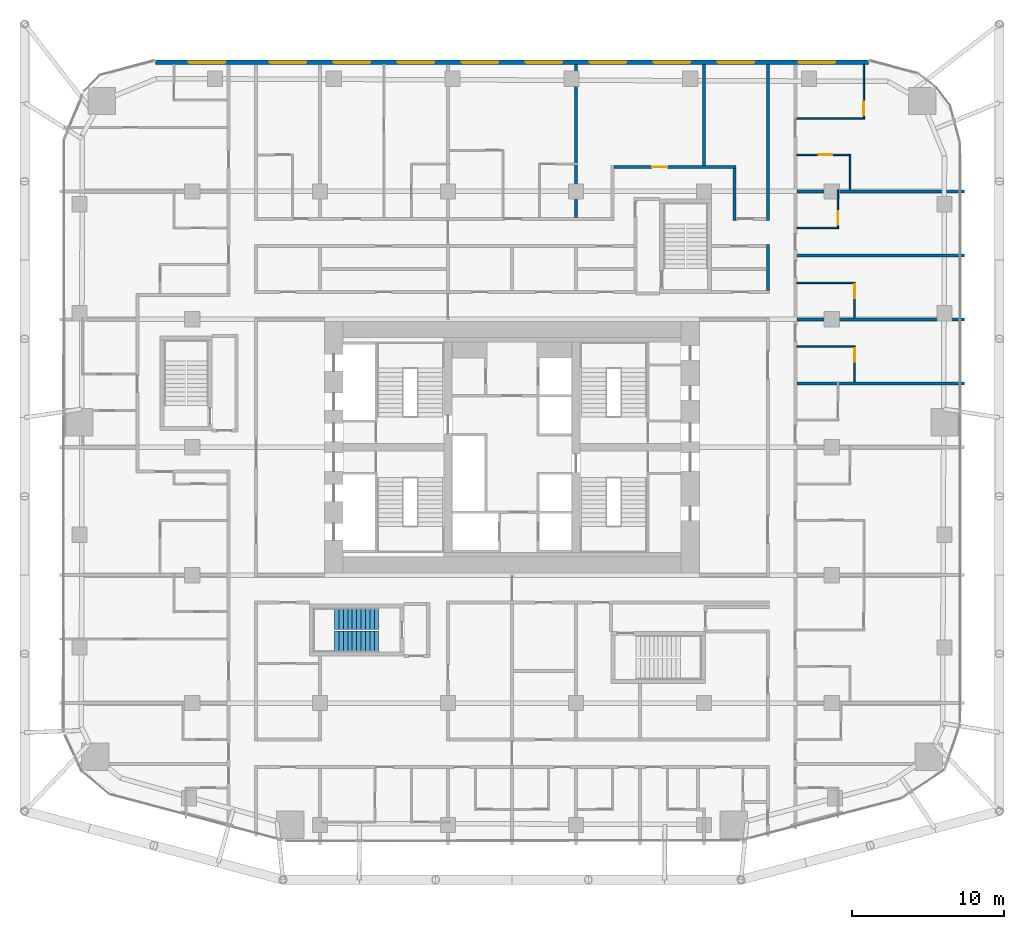
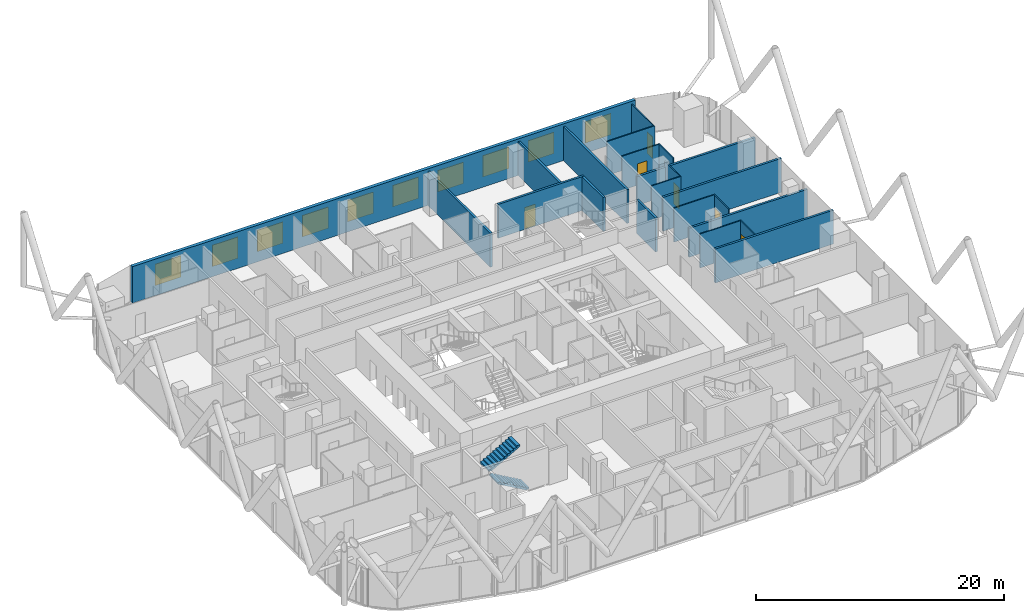
# One storey, part 35 of 38: 21 walls, 10 windows, 6 doors, 2 stair flights, 16 openings, 1 element without a shape of its own.
"""IFC4 building model written with IfcOpenShell, lengths in metres."""

from ifc_helpers import new_model, si_unit, direction, frame, frame_2d, origin, place, context, subcontext, project, spatial, polyline, rectangle, outline, extrude, material, layer, layer_set, type_object, element, fill, aggregate, save


model = new_model("IFC4")

# Units and contexts
model_context = context("Model", 3, precision=1e-05, world=origin(), true_north=direction((0.0, 1.0)))
body_context = subcontext(model_context, "Body", "Model", "MODEL_VIEW")
ifc_project = project(units=[si_unit("LENGTHUNIT", "METRE"), si_unit("AREAUNIT", "SQUARE_METRE"), si_unit("VOLUMEUNIT", "CUBIC_METRE"), si_unit("PLANEANGLEUNIT", "RADIAN"), si_unit("MASSUNIT", "GRAM", prefix="KILO")], contexts=[model_context])

# Site, building, storey
site_placement = place(None, origin())
site = spatial("IfcSite", under=ifc_project, at=site_placement, CompositionType="ELEMENT")
building_placement = place(site_placement, origin())
building = spatial("IfcBuilding", under=site, at=building_placement, Name="Marenta Gate Hotel Tower", CompositionType="ELEMENT")
storey_placement = place(building_placement, frame((0.0, 0.0, 68.89990234375)))
storey = spatial("IfcBuildingStorey", under=building, at=storey_placement, Name="L15", CompositionType="ELEMENT", Elevation=68.89990234375)

# Wall, openings, windows
ifc_material_1 = material(Name="Concrete C40 board-marked", Category="concrete")
ifc_layer_1 = layer(ifc_material_1, 0.300048828125)
ifc_layer_set_1 = layer_set([ifc_layer_1], Name="Concrete C40 board-marked")
wall_type_1 = type_object("IfcWallType", Name="Board-marked concrete wall 300 mm", PredefinedType="NOTDEFINED", material=ifc_layer_set_1)
wall_1_placement = place(storey_placement, frame((23.406005859375, 33.68994140625, 0.0), z_axis=(0.0, 0.0, 1.0), x_axis=(-1.0, 0.0, 0.0)))
wall_1 = element("IfcWall", 1, at=wall_1_placement, inside=storey, type_object=wall_type_1, Name="L15-CLD-N00", PredefinedType="NOTDEFINED", context=body_context, shape_type="SweptSolid", body=[
    extrude(rectangle(XDim=46.81201171875, YDim=0.300048828125, at=frame_2d((23.406005859375, 0.0))), origin(), (0.0, 0.0, 1.0), 3.60009765625),
])
opening_1_placement = place(wall_1_placement, frame((2.185791015625, 0.0, 0.89990234375)))
opening_1 = element("IfcOpeningElement", 2, at=opening_1_placement, cuts=wall_1, Name="Opening W1", PredefinedType="OPENING", context=body_context, shape_type="SweptSolid", body=[
    extrude(rectangle(XDim=2.39990234375, YDim=2.10009765625, at=frame_2d((1.199951171875, 1.050048828125))), frame((0.0, 0.14990234375, 0.0), z_axis=(0.0, -1.0, 0.0), x_axis=(1.0, 0.0, 0.0)), (0.0, 0.0, 1.0), 0.300048828125),
])
opening_2_placement = place(wall_1_placement, frame((7.505859375, 0.0, 0.89990234375)))
opening_2 = element("IfcOpeningElement", 3, at=opening_2_placement, cuts=wall_1, Name="Opening W1", PredefinedType="OPENING", context=body_context, shape_type="SweptSolid", body=[
    extrude(rectangle(XDim=2.39990234375, YDim=2.10009765625, at=frame_2d((1.199951171875, 1.050048828125))), frame((0.0, 0.14990234375, 0.0), z_axis=(0.0, -1.0, 0.0), x_axis=(1.0, 0.0, 0.0)), (0.0, 0.0, 1.0), 0.300048828125),
])
opening_3_placement = place(wall_1_placement, frame((11.705810546875, 0.0, 0.89990234375)))
opening_3 = element("IfcOpeningElement", 4, at=opening_3_placement, cuts=wall_1, Name="Opening W1", PredefinedType="OPENING", context=body_context, shape_type="SweptSolid", body=[
    extrude(rectangle(XDim=2.39990234375, YDim=2.10009765625, at=frame_2d((1.199951171875, 1.050048828125))), frame((0.0, 0.14990234375, 0.0), z_axis=(0.0, -1.0, 0.0), x_axis=(1.0, 0.0, 0.0)), (0.0, 0.0, 1.0), 0.300048828125),
])
opening_4_placement = place(wall_1_placement, frame((15.906005859375, 0.0, 0.89990234375)))
opening_4 = element("IfcOpeningElement", 5, at=opening_4_placement, cuts=wall_1, Name="Opening W1", PredefinedType="OPENING", context=body_context, shape_type="SweptSolid", body=[
    extrude(rectangle(XDim=2.39990234375, YDim=2.10009765625, at=frame_2d((1.199951171875, 1.050048828125))), frame((0.0, 0.14990234375, 0.0), z_axis=(0.0, -1.0, 0.0), x_axis=(1.0, 0.0, 0.0)), (0.0, 0.0, 1.0), 0.300048828125),
])
opening_5_placement = place(wall_1_placement, frame((20.10595703125, 0.0, 0.89990234375)))
opening_5 = element("IfcOpeningElement", 6, at=opening_5_placement, cuts=wall_1, Name="Opening W1", PredefinedType="OPENING", context=body_context, shape_type="SweptSolid", body=[
    extrude(rectangle(XDim=2.39990234375, YDim=2.10009765625, at=frame_2d((1.199951171875, 1.050048828125))), frame((0.0, 0.14990234375, 0.0), z_axis=(0.0, -1.0, 0.0), x_axis=(1.0, 0.0, 0.0)), (0.0, 0.0, 1.0), 0.300048828125),
])
opening_6_placement = place(wall_1_placement, frame((24.305908203125, 0.0, 0.89990234375)))
opening_6 = element("IfcOpeningElement", 7, at=opening_6_placement, cuts=wall_1, Name="Opening W1", PredefinedType="OPENING", context=body_context, shape_type="SweptSolid", body=[
    extrude(rectangle(XDim=2.39990234375, YDim=2.10009765625, at=frame_2d((1.199951171875, 1.050048828125))), frame((0.0, 0.14990234375, 0.0), z_axis=(0.0, -1.0, 0.0), x_axis=(1.0, 0.0, 0.0)), (0.0, 0.0, 1.0), 0.300048828125),
])
opening_7_placement = place(wall_1_placement, frame((28.505859375, 0.0, 0.89990234375)))
opening_7 = element("IfcOpeningElement", 8, at=opening_7_placement, cuts=wall_1, Name="Opening W1", PredefinedType="OPENING", context=body_context, shape_type="SweptSolid", body=[
    extrude(rectangle(XDim=2.39990234375, YDim=2.10009765625, at=frame_2d((1.199951171875, 1.050048828125))), frame((0.0, 0.14990234375, 0.0), z_axis=(0.0, -1.0, 0.0), x_axis=(1.0, 0.0, 0.0)), (0.0, 0.0, 1.0), 0.300048828125),
])
opening_8_placement = place(wall_1_placement, frame((32.705810546875, 0.0, 0.89990234375)))
opening_8 = element("IfcOpeningElement", 9, at=opening_8_placement, cuts=wall_1, Name="Opening W1", PredefinedType="OPENING", context=body_context, shape_type="SweptSolid", body=[
    extrude(rectangle(XDim=2.39990234375, YDim=2.10009765625, at=frame_2d((1.199951171875, 1.050048828125))), frame((0.0, 0.14990234375, 0.0), z_axis=(0.0, -1.0, 0.0), x_axis=(1.0, 0.0, 0.0)), (0.0, 0.0, 1.0), 0.300048828125),
])
opening_9_placement = place(wall_1_placement, frame((36.906005859375, 0.0, 0.89990234375)))
opening_9 = element("IfcOpeningElement", 10, at=opening_9_placement, cuts=wall_1, Name="Opening W1", PredefinedType="OPENING", context=body_context, shape_type="SweptSolid", body=[
    extrude(rectangle(XDim=2.39990234375, YDim=2.10009765625, at=frame_2d((1.199951171875, 1.050048828125))), frame((0.0, 0.14990234375, 0.0), z_axis=(0.0, -1.0, 0.0), x_axis=(1.0, 0.0, 0.0)), (0.0, 0.0, 1.0), 0.300048828125),
])
opening_10_placement = place(wall_1_placement, frame((42.225830078125, 0.0, 0.89990234375)))
opening_10 = element("IfcOpeningElement", 11, at=opening_10_placement, cuts=wall_1, Name="Opening W1", PredefinedType="OPENING", context=body_context, shape_type="SweptSolid", body=[
    extrude(rectangle(XDim=2.39990234375, YDim=2.10009765625, at=frame_2d((1.199951171875, 1.050048828125))), frame((0.0, 0.14990234375, 0.0), z_axis=(0.0, -1.0, 0.0), x_axis=(1.0, 0.0, 0.0)), (0.0, 0.0, 1.0), 0.300048828125),
])
ifc_material_2 = material(Name="Tinted insulated glass in bronze anodised frame", Category="glass")
window_type = type_object("IfcWindowType", Name="Window W1 2400x2100 bronze frame", PartitioningType="SINGLE_PANEL", PredefinedType="WINDOW", material=ifc_material_2)
window_1_placement = place(opening_1_placement, origin())
window_1 = element("IfcWindow", 12, at=window_1_placement, inside=storey, type_object=window_type, Name="Window W1", OverallHeight=2.10009765625, OverallWidth=2.39990234375, PartitioningType="SINGLE_PANEL", PredefinedType="WINDOW", context=body_context, shape_type="SweptSolid", body=[
    extrude(rectangle(XDim=2.39990234375, YDim=2.10009765625, at=frame_2d((1.199951171875, 1.050048828125))), frame((0.0, 0.030029296875, 0.0), z_axis=(0.0, -1.0, 0.0), x_axis=(1.0, 0.0, 0.0)), (0.0, 0.0, 1.0), 0.06005859375),
])
fill(opening_1, window_1)
window_2_placement = place(opening_2_placement, origin())
window_2 = element("IfcWindow", 13, at=window_2_placement, inside=storey, type_object=window_type, Name="Window W1", OverallHeight=2.10009765625, OverallWidth=2.39990234375, PartitioningType="SINGLE_PANEL", PredefinedType="WINDOW", context=body_context, shape_type="SweptSolid", body=[
    extrude(rectangle(XDim=2.39990234375, YDim=2.10009765625, at=frame_2d((1.199951171875, 1.050048828125))), frame((0.0, 0.030029296875, 0.0), z_axis=(0.0, -1.0, 0.0), x_axis=(1.0, 0.0, 0.0)), (0.0, 0.0, 1.0), 0.06005859375),
])
fill(opening_2, window_2)
window_3_placement = place(opening_3_placement, origin())
window_3 = element("IfcWindow", 14, at=window_3_placement, inside=storey, type_object=window_type, Name="Window W1", OverallHeight=2.10009765625, OverallWidth=2.39990234375, PartitioningType="SINGLE_PANEL", PredefinedType="WINDOW", context=body_context, shape_type="SweptSolid", body=[
    extrude(rectangle(XDim=2.39990234375, YDim=2.10009765625, at=frame_2d((1.199951171875, 1.050048828125))), frame((0.0, 0.030029296875, 0.0), z_axis=(0.0, -1.0, 0.0), x_axis=(1.0, 0.0, 0.0)), (0.0, 0.0, 1.0), 0.06005859375),
])
fill(opening_3, window_3)
window_4_placement = place(opening_4_placement, origin())
window_4 = element("IfcWindow", 15, at=window_4_placement, inside=storey, type_object=window_type, Name="Window W1", OverallHeight=2.10009765625, OverallWidth=2.39990234375, PartitioningType="SINGLE_PANEL", PredefinedType="WINDOW", context=body_context, shape_type="SweptSolid", body=[
    extrude(rectangle(XDim=2.39990234375, YDim=2.10009765625, at=frame_2d((1.199951171875, 1.050048828125))), frame((0.0, 0.030029296875, 0.0), z_axis=(0.0, -1.0, 0.0), x_axis=(1.0, 0.0, 0.0)), (0.0, 0.0, 1.0), 0.06005859375),
])
fill(opening_4, window_4)
window_5_placement = place(opening_5_placement, origin())
window_5 = element("IfcWindow", 16, at=window_5_placement, inside=storey, type_object=window_type, Name="Window W1", OverallHeight=2.10009765625, OverallWidth=2.39990234375, PartitioningType="SINGLE_PANEL", PredefinedType="WINDOW", context=body_context, shape_type="SweptSolid", body=[
    extrude(rectangle(XDim=2.39990234375, YDim=2.10009765625, at=frame_2d((1.199951171875, 1.050048828125))), frame((0.0, 0.030029296875, 0.0), z_axis=(0.0, -1.0, 0.0), x_axis=(1.0, 0.0, 0.0)), (0.0, 0.0, 1.0), 0.06005859375),
])
fill(opening_5, window_5)
window_6_placement = place(opening_6_placement, origin())
window_6 = element("IfcWindow", 17, at=window_6_placement, inside=storey, type_object=window_type, Name="Window W1", OverallHeight=2.10009765625, OverallWidth=2.39990234375, PartitioningType="SINGLE_PANEL", PredefinedType="WINDOW", context=body_context, shape_type="SweptSolid", body=[
    extrude(rectangle(XDim=2.39990234375, YDim=2.10009765625, at=frame_2d((1.199951171875, 1.050048828125))), frame((0.0, 0.030029296875, 0.0), z_axis=(0.0, -1.0, 0.0), x_axis=(1.0, 0.0, 0.0)), (0.0, 0.0, 1.0), 0.06005859375),
])
fill(opening_6, window_6)
window_7_placement = place(opening_7_placement, origin())
window_7 = element("IfcWindow", 18, at=window_7_placement, inside=storey, type_object=window_type, Name="Window W1", OverallHeight=2.10009765625, OverallWidth=2.39990234375, PartitioningType="SINGLE_PANEL", PredefinedType="WINDOW", context=body_context, shape_type="SweptSolid", body=[
    extrude(rectangle(XDim=2.39990234375, YDim=2.10009765625, at=frame_2d((1.199951171875, 1.050048828125))), frame((0.0, 0.030029296875, 0.0), z_axis=(0.0, -1.0, 0.0), x_axis=(1.0, 0.0, 0.0)), (0.0, 0.0, 1.0), 0.06005859375),
])
fill(opening_7, window_7)
window_8_placement = place(opening_8_placement, origin())
window_8 = element("IfcWindow", 19, at=window_8_placement, inside=storey, type_object=window_type, Name="Window W1", OverallHeight=2.10009765625, OverallWidth=2.39990234375, PartitioningType="SINGLE_PANEL", PredefinedType="WINDOW", context=body_context, shape_type="SweptSolid", body=[
    extrude(rectangle(XDim=2.39990234375, YDim=2.10009765625, at=frame_2d((1.199951171875, 1.050048828125))), frame((0.0, 0.030029296875, 0.0), z_axis=(0.0, -1.0, 0.0), x_axis=(1.0, 0.0, 0.0)), (0.0, 0.0, 1.0), 0.06005859375),
])
fill(opening_8, window_8)
window_9_placement = place(opening_9_placement, origin())
window_9 = element("IfcWindow", 20, at=window_9_placement, inside=storey, type_object=window_type, Name="Window W1", OverallHeight=2.10009765625, OverallWidth=2.39990234375, PartitioningType="SINGLE_PANEL", PredefinedType="WINDOW", context=body_context, shape_type="SweptSolid", body=[
    extrude(rectangle(XDim=2.39990234375, YDim=2.10009765625, at=frame_2d((1.199951171875, 1.050048828125))), frame((0.0, 0.030029296875, 0.0), z_axis=(0.0, -1.0, 0.0), x_axis=(1.0, 0.0, 0.0)), (0.0, 0.0, 1.0), 0.06005859375),
])
fill(opening_9, window_9)
window_10_placement = place(opening_10_placement, origin())
window_10 = element("IfcWindow", 21, at=window_10_placement, inside=storey, type_object=window_type, Name="Window W1", OverallHeight=2.10009765625, OverallWidth=2.39990234375, PartitioningType="SINGLE_PANEL", PredefinedType="WINDOW", context=body_context, shape_type="SweptSolid", body=[
    extrude(rectangle(XDim=2.39990234375, YDim=2.10009765625, at=frame_2d((1.199951171875, 1.050048828125))), frame((0.0, 0.030029296875, 0.0), z_axis=(0.0, -1.0, 0.0), x_axis=(1.0, 0.0, 0.0)), (0.0, 0.0, 1.0), 0.06005859375),
])
fill(opening_10, window_10)

# Walls
ifc_material_3 = material(Name="Gypsum board on steel stud", Category="steel")
ifc_layer_2 = layer(ifc_material_3, 0.199951171875)
ifc_layer_set_2 = layer_set([ifc_layer_2], Name="Gypsum board on steel stud")
wall_type_2 = type_object("IfcWallType", Name="Room corridor wall 200 EI 60", PredefinedType="PARTITIONING", material=ifc_layer_set_2)
wall_2_placement = place(storey_placement, frame((16.800048828125, 18.699951171875, 0.0), z_axis=(0.0, 0.0, 1.0), x_axis=(0.0, 1.0, 0.0)))
element("IfcWall", 22, at=wall_2_placement, inside=storey, type_object=wall_type_2, Name="L15-PTN-W017", PredefinedType="PARTITIONING", context=body_context, shape_type="SweptSolid", body=[
    extrude(rectangle(XDim=3.0, YDim=0.199951171875, at=frame_2d((1.5, 0.0))), origin(), (0.0, 0.0, 1.0), 3.340087890625),
])
wall_3_placement = place(storey_placement, frame((16.800048828125, 23.300048828125, 0.0), z_axis=(0.0, 0.0, 1.0), x_axis=(0.0, 1.0, 0.0)))
element("IfcWall", 23, at=wall_3_placement, inside=storey, type_object=wall_type_2, Name="L15-PTN-W018", PredefinedType="PARTITIONING", context=body_context, shape_type="SweptSolid", body=[
    extrude(rectangle(XDim=10.239990234375, YDim=0.199951171875, at=frame_2d((5.1201171875, 0.0))), origin(), (0.0, 0.0, 1.0), 3.340087890625),
])
wall_4_placement = place(storey_placement, frame((14.60009765625, 23.300048828125, 0.0), z_axis=(0.0, 0.0, 1.0), x_axis=(0.0, 1.0, 0.0)))
element("IfcWall", 24, at=wall_4_placement, inside=storey, type_object=wall_type_2, Name="L15-PTN-W028", PredefinedType="PARTITIONING", context=body_context, shape_type="SweptSolid", body=[
    extrude(rectangle(XDim=3.39990234375, YDim=0.199951171875, at=frame_2d((1.699951171875, 0.0))), origin(), (0.0, 0.0, 1.0), 3.340087890625),
])

# Wall, opening, door
wall_5_placement = place(storey_placement, frame((6.699951171875, 26.800048828125, 0.0), z_axis=(0.0, 0.0, 1.0), x_axis=(1.0, 0.0, 0.0)))
wall_5 = element("IfcWall", 25, at=wall_5_placement, inside=storey, type_object=wall_type_2, Name="L15-PTN-W143", PredefinedType="PARTITIONING", context=body_context, shape_type="SweptSolid", body=[
    extrude(rectangle(XDim=8.0, YDim=0.199951171875, at=frame_2d((4.0, 0.0))), origin(), (0.0, 0.0, 1.0), 3.340087890625),
])
opening_11_placement = place(wall_5_placement, frame((2.5, 0.0, 0.0)))
opening_11 = element("IfcOpeningElement", 26, at=opening_11_placement, cuts=wall_5, Name="Opening G05-70", PredefinedType="OPENING", context=body_context, shape_type="SweptSolid", body=[
    extrude(rectangle(XDim=1.0, YDim=2.10009765625, at=frame_2d((0.5, 1.050048828125))), frame((0.0, 0.10009765625, 0.0), z_axis=(0.0, -1.0, 0.0), x_axis=(1.0, 0.0, 0.0)), (0.0, 0.0, 1.0), 0.199951171875),
])
ifc_material_4 = material(Name="Timber door leaf", Category="wood")
door_type_1 = type_object("IfcDoorType", Name="Room amenity door 1000x2100 EI 30", OperationType="NOTDEFINED", PredefinedType="DOOR", material=ifc_material_4)
door_1_placement = place(opening_11_placement, origin())
door_1 = element("IfcDoor", 27, at=door_1_placement, inside=storey, type_object=door_type_1, Name="L15-PD-D070", OperationType="SINGLE_SWING_RIGHT", OverallHeight=2.10009765625, OverallWidth=1.0, PredefinedType="DOOR", context=body_context, shape_type="SweptSolid", body=[
    extrude(rectangle(XDim=1.0, YDim=2.10009765625, at=frame_2d((0.5, 1.050048828125))), frame((0.0, 0.02490234375, 0.0), z_axis=(0.0, -1.0, 0.0), x_axis=(1.0, 0.0, 0.0)), (0.0, 0.0, 1.0), 0.050048828125),
])
fill(opening_11, door_1)

ifc_material_5 = material(Name="Gypsum board on steel stud", Category="steel")
ifc_layer_3 = layer(ifc_material_5, 0.10009765625)
ifc_layer_set_3 = layer_set([ifc_layer_3], Name="Gypsum board on steel stud")
wall_type_3 = type_object("IfcWallType", Name="Room partition 100", PredefinedType="PARTITIONING", material=ifc_layer_set_3)
wall_6_placement = place(storey_placement, frame((23.10009765625, 30.050048828125, 0.0), z_axis=(0.0, 0.0, 1.0), x_axis=(0.0, 1.0, 0.0)))
wall_6 = element("IfcWall", 28, at=wall_6_placement, inside=storey, type_object=wall_type_3, Name="L15-PTN-W002", PredefinedType="PARTITIONING", context=body_context, shape_type="SweptSolid", body=[
    extrude(rectangle(XDim=3.489990234375, YDim=0.10009765625, at=frame_2d((1.7451171875, 0.0))), origin(), (0.0, 0.0, 1.0), 3.340087890625),
])
opening_12_placement = place(wall_6_placement, frame((0.14990234375, 0.0, 0.0)))
opening_12 = element("IfcOpeningElement", 29, at=opening_12_placement, cuts=wall_6, Name="Opening G05-24", PredefinedType="OPENING", context=body_context, shape_type="SweptSolid", body=[
    extrude(rectangle(XDim=0.89990234375, YDim=2.10009765625, at=frame_2d((0.449951171875, 1.050048828125))), frame((0.0, 0.050048828125, 0.0), z_axis=(0.0, -1.0, 0.0), x_axis=(1.0, 0.0, 0.0)), (0.0, 0.0, 1.0), 0.10009765625),
])
ifc_material_6 = material(Name="Timber door leaf", Category="wood")
door_type_2 = type_object("IfcDoorType", Name="Guest bathroom door 900x2100", OperationType="NOTDEFINED", PredefinedType="DOOR", material=ifc_material_6)
door_2_placement = place(opening_12_placement, origin())
door_2 = element("IfcDoor", 30, at=door_2_placement, inside=storey, type_object=door_type_2, Name="L15-PD-D024", OperationType="SINGLE_SWING_LEFT", OverallHeight=2.10009765625, OverallWidth=0.89990234375, PredefinedType="DOOR", context=body_context, shape_type="SweptSolid", body=[
    extrude(rectangle(XDim=0.89990234375, YDim=2.10009765625, at=frame_2d((0.449951171875, 1.050048828125))), frame((0.0, 0.02490234375, 0.0), z_axis=(0.0, -1.0, 0.0), x_axis=(1.0, 0.0, 0.0)), (0.0, 0.0, 1.0), 0.050048828125),
])
fill(opening_12, door_2)

wall_7_placement = place(storey_placement, frame((22.5, 12.699951171875, 0.0), z_axis=(0.0, 0.0, 1.0), x_axis=(0.0, 1.0, 0.0)))
wall_7 = element("IfcWall", 31, at=wall_7_placement, inside=storey, type_object=wall_type_3, Name="L15-PTN-W003", PredefinedType="PARTITIONING", context=body_context, shape_type="SweptSolid", body=[
    extrude(rectangle(XDim=2.35009765625, YDim=0.10009765625, at=frame_2d((1.175048828125, 0.0))), origin(), (0.0, 0.0, 1.0), 3.340087890625),
])
opening_13_placement = place(wall_7_placement, frame((1.300048828125, 0.0, 0.0)))
opening_13 = element("IfcOpeningElement", 32, at=opening_13_placement, cuts=wall_7, Name="Opening G05-18", PredefinedType="OPENING", context=body_context, shape_type="SweptSolid", body=[
    extrude(rectangle(XDim=0.89990234375, YDim=2.10009765625, at=frame_2d((0.449951171875, 1.050048828125))), frame((0.0, 0.050048828125, 0.0), z_axis=(0.0, -1.0, 0.0), x_axis=(1.0, 0.0, 0.0)), (0.0, 0.0, 1.0), 0.10009765625),
])
door_3_placement = place(opening_13_placement, origin())
door_3 = element("IfcDoor", 33, at=door_3_placement, inside=storey, type_object=door_type_2, Name="L15-PD-D018", OperationType="SINGLE_SWING_RIGHT", OverallHeight=2.10009765625, OverallWidth=0.89990234375, PredefinedType="DOOR", context=body_context, shape_type="SweptSolid", body=[
    extrude(rectangle(XDim=0.89990234375, YDim=2.10009765625, at=frame_2d((0.449951171875, 1.050048828125))), frame((0.0, 0.02490234375, 0.0), z_axis=(0.0, -1.0, 0.0), x_axis=(1.0, 0.0, 0.0)), (0.0, 0.0, 1.0), 0.050048828125),
])
fill(opening_13, door_3)

wall_8_placement = place(storey_placement, frame((22.5, 16.89990234375, 0.0), z_axis=(0.0, 0.0, 1.0), x_axis=(0.0, 1.0, 0.0)))
wall_8 = element("IfcWall", 34, at=wall_8_placement, inside=storey, type_object=wall_type_3, Name="L15-PTN-W004", PredefinedType="PARTITIONING", context=body_context, shape_type="SweptSolid", body=[
    extrude(rectangle(XDim=2.35009765625, YDim=0.10009765625, at=frame_2d((1.175048828125, 0.0))), origin(), (0.0, 0.0, 1.0), 3.340087890625),
])
opening_14_placement = place(wall_8_placement, frame((1.300048828125, 0.0, 0.0)))
opening_14 = element("IfcOpeningElement", 35, at=opening_14_placement, cuts=wall_8, Name="Opening G05-20", PredefinedType="OPENING", context=body_context, shape_type="SweptSolid", body=[
    extrude(rectangle(XDim=0.89990234375, YDim=2.10009765625, at=frame_2d((0.449951171875, 1.050048828125))), frame((0.0, 0.050048828125, 0.0), z_axis=(0.0, -1.0, 0.0), x_axis=(1.0, 0.0, 0.0)), (0.0, 0.0, 1.0), 0.10009765625),
])
door_4_placement = place(opening_14_placement, origin())
door_4 = element("IfcDoor", 36, at=door_4_placement, inside=storey, type_object=door_type_2, Name="L15-PD-D020", OperationType="SINGLE_SWING_RIGHT", OverallHeight=2.10009765625, OverallWidth=0.89990234375, PredefinedType="DOOR", context=body_context, shape_type="SweptSolid", body=[
    extrude(rectangle(XDim=0.89990234375, YDim=2.10009765625, at=frame_2d((0.449951171875, 1.050048828125))), frame((0.0, 0.02490234375, 0.0), z_axis=(0.0, -1.0, 0.0), x_axis=(1.0, 0.0, 0.0)), (0.0, 0.0, 1.0), 0.050048828125),
])
fill(opening_14, door_4)

# Wall
wall_9_placement = place(storey_placement, frame((22.199951171875, 25.300048828125, 0.0), z_axis=(0.0, 0.0, 1.0), x_axis=(0.0, 1.0, 0.0)))
element("IfcWall", 37, at=wall_9_placement, inside=storey, type_object=wall_type_3, Name="L15-PTN-W007", PredefinedType="PARTITIONING", context=body_context, shape_type="SweptSolid", body=[
    extrude(rectangle(XDim=2.349853515625, YDim=0.10009765625, at=frame_2d((1.1748046875, 0.0))), origin(), (0.0, 0.0, 1.0), 3.340087890625),
])

# Wall, opening, door
wall_10_placement = place(storey_placement, frame((21.39990234375, 22.85009765625, 0.0), z_axis=(0.0, 0.0, 1.0), x_axis=(0.0, 1.0, 0.0)))
wall_10 = element("IfcWall", 38, at=wall_10_placement, inside=storey, type_object=wall_type_3, Name="L15-PTN-W011", PredefinedType="PARTITIONING", context=body_context, shape_type="SweptSolid", body=[
    extrude(rectangle(XDim=2.449951171875, YDim=0.10009765625, at=frame_2d((1.22509765625, 0.0))), origin(), (0.0, 0.0, 1.0), 3.340087890625),
])
opening_15_placement = place(wall_10_placement, frame((0.14990234375, 0.0, 0.0)))
opening_15 = element("IfcOpeningElement", 39, at=opening_15_placement, cuts=wall_10, Name="Opening G05-22", PredefinedType="OPENING", context=body_context, shape_type="SweptSolid", body=[
    extrude(rectangle(XDim=0.89990234375, YDim=2.10009765625, at=frame_2d((0.449951171875, 1.050048828125))), frame((0.0, 0.050048828125, 0.0), z_axis=(0.0, -1.0, 0.0), x_axis=(1.0, 0.0, 0.0)), (0.0, 0.0, 1.0), 0.10009765625),
])
door_5_placement = place(opening_15_placement, origin())
door_5 = element("IfcDoor", 40, at=door_5_placement, inside=storey, type_object=door_type_2, Name="L15-PD-D022", OperationType="SINGLE_SWING_LEFT", OverallHeight=2.10009765625, OverallWidth=0.89990234375, PredefinedType="DOOR", context=body_context, shape_type="SweptSolid", body=[
    extrude(rectangle(XDim=0.89990234375, YDim=2.10009765625, at=frame_2d((0.449951171875, 1.050048828125))), frame((0.0, 0.02490234375, 0.0), z_axis=(0.0, -1.0, 0.0), x_axis=(1.0, 0.0, 0.0)), (0.0, 0.0, 1.0), 0.050048828125),
])
fill(opening_15, door_5)

# Walls
for number, where, z_axis, x_axis, name in (
    (41, (18.699951171875, 15.0, 0.0), (0.0, 0.0, 1.0), (1.0, 0.0, 0.0), "L15-PTN-W104"),
    (42, (18.699951171875, 19.199951171875, 0.0), (0.0, 0.0, 1.0), (1.0, 0.0, 0.0), "L15-PTN-W119"),
):
    element("IfcWall", number, at=place(storey_placement, frame(where, z_axis=z_axis, x_axis=x_axis)), inside=storey, type_object=wall_type_3, Name=name, PredefinedType="PARTITIONING", context=body_context, shape_type="SweptSolid", body=[
        extrude(rectangle(XDim=3.75, YDim=0.10009765625, at=frame_2d((1.875, 0.0))), origin(), (0.0, 0.0, 1.0), 3.340087890625),
    ])
wall_11_placement = place(storey_placement, frame((18.699951171875, 22.800048828125, 0.0), z_axis=(0.0, 0.0, 1.0), x_axis=(1.0, 0.0, 0.0)))
element("IfcWall", 43, at=wall_11_placement, inside=storey, type_object=wall_type_3, Name="L15-PTN-W134", PredefinedType="PARTITIONING", context=body_context, shape_type="SweptSolid", body=[
    extrude(rectangle(XDim=2.75, YDim=0.10009765625, at=frame_2d((1.375, 0.0))), origin(), (0.0, 0.0, 1.0), 3.340087890625),
])

# Wall, opening, door
wall_12_placement = place(storey_placement, frame((18.699951171875, 27.60009765625, 0.0), z_axis=(0.0, 0.0, 1.0), x_axis=(1.0, 0.0, 0.0)))
wall_12 = element("IfcWall", 44, at=wall_12_placement, inside=storey, type_object=wall_type_3, Name="L15-PTN-W147", PredefinedType="PARTITIONING", context=body_context, shape_type="SweptSolid", body=[
    extrude(rectangle(XDim=3.449951171875, YDim=0.10009765625, at=frame_2d((1.72509765625, 0.0))), origin(), (0.0, 0.0, 1.0), 3.340087890625),
])
opening_16_placement = place(wall_12_placement, frame((1.429931640625, 0.0, 0.0)))
opening_16 = element("IfcOpeningElement", 45, at=opening_16_placement, cuts=wall_12, Name="Opening G05-25", PredefinedType="OPENING", context=body_context, shape_type="SweptSolid", body=[
    extrude(rectangle(XDim=0.89990234375, YDim=2.10009765625, at=frame_2d((0.449951171875, 1.050048828125))), frame((0.0, 0.050048828125, 0.0), z_axis=(0.0, -1.0, 0.0), x_axis=(1.0, 0.0, 0.0)), (0.0, 0.0, 1.0), 0.10009765625),
])
ifc_material_7 = material(Name="Timber door leaf", Category="wood")
door_type_3 = type_object("IfcDoorType", Name="Room inner door 900x2100", OperationType="NOTDEFINED", PredefinedType="DOOR", material=ifc_material_7)
door_6_placement = place(opening_16_placement, origin())
door_6 = element("IfcDoor", 46, at=door_6_placement, inside=storey, type_object=door_type_3, Name="L15-PD-D025", OperationType="SINGLE_SWING_LEFT", OverallHeight=2.10009765625, OverallWidth=0.89990234375, PredefinedType="DOOR", context=body_context, shape_type="SweptSolid", body=[
    extrude(rectangle(XDim=0.89990234375, YDim=2.10009765625, at=frame_2d((0.449951171875, 1.050048828125))), frame((0.0, 0.02490234375, 0.0), z_axis=(0.0, -1.0, 0.0), x_axis=(1.0, 0.0, 0.0)), (0.0, 0.0, 1.0), 0.050048828125),
])
fill(opening_16, door_6)

# Walls
wall_13_placement = place(storey_placement, frame((18.699951171875, 30.0, 0.0), z_axis=(0.0, 0.0, 1.0), x_axis=(1.0, 0.0, 0.0)))
element("IfcWall", 47, at=wall_13_placement, inside=storey, type_object=wall_type_3, Name="L15-PTN-W152", PredefinedType="PARTITIONING", context=body_context, shape_type="SweptSolid", body=[
    extrude(rectangle(XDim=4.449951171875, YDim=0.10009765625, at=frame_2d((2.22509765625, 0.0))), origin(), (0.0, 0.0, 1.0), 3.340087890625),
])
ifc_material_8 = material(Name="Gypsum board on steel stud", Category="steel")
ifc_layer_4 = layer(ifc_material_8, 0.199951171875)
ifc_layer_set_4 = layer_set([ifc_layer_4], Name="Gypsum board on steel stud")
wall_type_4 = type_object("IfcWallType", Name="Room party wall 200 EI 60", PredefinedType="PARTITIONING", material=ifc_layer_set_4)
wall_14_placement = place(storey_placement, frame((12.60009765625, 26.89990234375, 0.0), z_axis=(0.0, 0.0, 1.0), x_axis=(0.0, 1.0, 0.0)))
element("IfcWall", 48, at=wall_14_placement, inside=storey, type_object=wall_type_4, Name="L15-PTN-W033", PredefinedType="PARTITIONING", context=body_context, shape_type="SweptSolid", body=[
    extrude(rectangle(XDim=6.64013671875, YDim=0.199951171875, at=frame_2d((3.320068359375, 0.0))), origin(), (0.0, 0.0, 1.0), 3.340087890625),
])
wall_15_placement = place(storey_placement, frame((4.199951171875, 23.5, 0.0), z_axis=(0.0, 0.0, 1.0), x_axis=(0.0, 1.0, 0.0)))
element("IfcWall", 49, at=wall_15_placement, inside=storey, type_object=wall_type_4, Name="L15-PTN-W059", PredefinedType="PARTITIONING", context=body_context, shape_type="SweptSolid", body=[
    extrude(rectangle(XDim=10.0400390625, YDim=0.199951171875, at=frame_2d((5.02001953125, 0.0))), origin(), (0.0, 0.0, 1.0), 3.340087890625),
])
wall_16_placement = place(storey_placement, frame((18.699951171875, 12.60009765625, 0.0), z_axis=(0.0, 0.0, 1.0), x_axis=(1.0, 0.0, 0.0)))
element("IfcWall", 50, at=wall_16_placement, inside=storey, type_object=wall_type_4, Name="L15-PTN-W101", PredefinedType="PARTITIONING", context=body_context, shape_type="SweptSolid", body=[
    extrude(rectangle(XDim=11.0, YDim=0.199951171875, at=frame_2d((5.5, 0.0))), origin(), (0.0, 0.0, 1.0), 3.340087890625),
])
wall_17_placement = place(storey_placement, frame((18.699951171875, 16.800048828125, 0.0), z_axis=(0.0, 0.0, 1.0), x_axis=(1.0, 0.0, 0.0)))
element("IfcWall", 51, at=wall_17_placement, inside=storey, type_object=wall_type_4, Name="L15-PTN-W111", PredefinedType="PARTITIONING", context=body_context, shape_type="SweptSolid", body=[
    extrude(rectangle(XDim=11.0, YDim=0.199951171875, at=frame_2d((5.5, 0.0))), origin(), (0.0, 0.0, 1.0), 2.840087890625),
])
wall_18_placement = place(storey_placement, frame((18.699951171875, 21.0, 0.0), z_axis=(0.0, 0.0, 1.0), x_axis=(1.0, 0.0, 0.0)))
element("IfcWall", 52, at=wall_18_placement, inside=storey, type_object=wall_type_4, Name="L15-PTN-W124", PredefinedType="PARTITIONING", context=body_context, shape_type="SweptSolid", body=[
    extrude(rectangle(XDim=11.0, YDim=0.199951171875, at=frame_2d((5.5, 0.0))), origin(), (0.0, 0.0, 1.0), 3.340087890625),
])
wall_19_placement = place(storey_placement, frame((18.699951171875, 25.199951171875, 0.0), z_axis=(0.0, 0.0, 1.0), x_axis=(1.0, 0.0, 0.0)))
element("IfcWall", 53, at=wall_19_placement, inside=storey, type_object=wall_type_4, Name="L15-PTN-W142", PredefinedType="PARTITIONING", context=body_context, shape_type="SweptSolid", body=[
    extrude(rectangle(XDim=11.0, YDim=0.199951171875, at=frame_2d((5.5, 0.0))), origin(), (0.0, 0.0, 1.0), 2.840087890625),
])

# Stair, stair flights
ifc_material_9 = material(Name="Concrete C40", Category="concrete")
stair_type = type_object("IfcStairType", Name="Remote exit stair 1400 wide", PredefinedType="HALF_TURN_STAIR", material=ifc_material_9)
stair_placement = place(storey_placement, origin())
stair = element("IfcStair", 54, at=stair_placement, inside=storey, type_object=stair_type, Name="Exit stair RS-Z1-2", PredefinedType="HALF_TURN_STAIR")
ifc_material_10 = material(Name="Concrete C40", Category="concrete")
stair_flight_type = type_object("IfcStairFlightType", Name="Remote stair flight 1400 riser 163.6 going 290", PredefinedType="STRAIGHT", material=ifc_material_10)
stair_flight_1_placement = place(storey_placement, frame((-8.75, -4.35009765625, 0.0), z_axis=(0.0, 0.0, 1.0), x_axis=(-1.0, 0.0, 0.0)))
stair_flight_1 = element("IfcStairFlight", 55, at=stair_flight_1_placement, type_object=stair_flight_type, Name="RS-Z1-2 flight 1", NumberOfRisers=11, NumberOfTreads=10, PredefinedType="STRAIGHT", RiserHeight=0.163636, TreadLength=0.29, context=body_context, shape_type="SweptSolid", body=[
    extrude(outline(polyline([(0.0, 0.0), (0.0, 0.16357421875), (0.2900390625, 0.16357421875), (0.2900390625, 0.327392578125), (0.580078125, 0.327392578125), (0.580078125, 0.490966796875), (0.8701171875, 0.490966796875), (0.8701171875, 0.654541015625), (1.159912109375, 0.654541015625), (1.159912109375, 0.818115234375), (1.449951171875, 0.818115234375), (1.449951171875, 0.98193359375), (1.739990234375, 0.98193359375), (1.739990234375, 1.1455078125), (2.030029296875, 1.1455078125), (2.030029296875, 1.30908203125), (2.320068359375, 1.30908203125), (2.320068359375, 1.47265625), (2.610107421875, 1.47265625), (2.610107421875, 1.636474609375), (2.89990234375, 1.636474609375), (2.89990234375, 1.800048828125), (2.89990234375, 1.46435546875), (0.304931640625, 0.0), (0.0, 0.0)])), frame((0.0, 0.699951171875, 0.0), z_axis=(0.0, -1.0, 0.0), x_axis=(1.0, 0.0, 0.0)), (0.0, 0.0, 1.0), 1.39990234375),
])
stair_flight_2_placement = place(storey_placement, frame((-11.64990234375, -2.85009765625, 1.800048828125), z_axis=(0.0, 0.0, 1.0), x_axis=(1.0, 0.0, 0.0)))
stair_flight_2 = element("IfcStairFlight", 56, at=stair_flight_2_placement, type_object=stair_flight_type, Name="RS-Z1-2 flight 2", NumberOfRisers=11, NumberOfTreads=10, PredefinedType="STRAIGHT", RiserHeight=0.163636, TreadLength=0.29, context=body_context, shape_type="SweptSolid", body=[
    extrude(outline(polyline([(0.0, 0.0), (0.0, 0.16357421875), (0.2900390625, 0.16357421875), (0.2900390625, 0.327392578125), (0.580078125, 0.327392578125), (0.580078125, 0.490966796875), (0.8701171875, 0.490966796875), (0.8701171875, 0.654541015625), (1.159912109375, 0.654541015625), (1.159912109375, 0.818115234375), (1.449951171875, 0.818115234375), (1.449951171875, 0.98193359375), (1.739990234375, 0.98193359375), (1.739990234375, 1.1455078125), (2.030029296875, 1.1455078125), (2.030029296875, 1.30908203125), (2.320068359375, 1.30908203125), (2.320068359375, 1.47265625), (2.610107421875, 1.47265625), (2.610107421875, 1.636474609375), (2.89990234375, 1.636474609375), (2.89990234375, 1.800048828125), (2.89990234375, 1.46435546875), (0.304931640625, 0.0), (0.0, 0.0)])), frame((0.0, 0.699951171875, 0.0), z_axis=(0.0, -1.0, 0.0), x_axis=(1.0, 0.0, 0.0)), (0.0, 0.0, 1.0), 1.39990234375),
])
aggregate(stair, [stair_flight_1, stair_flight_2])

save(model, "model.ifc")
